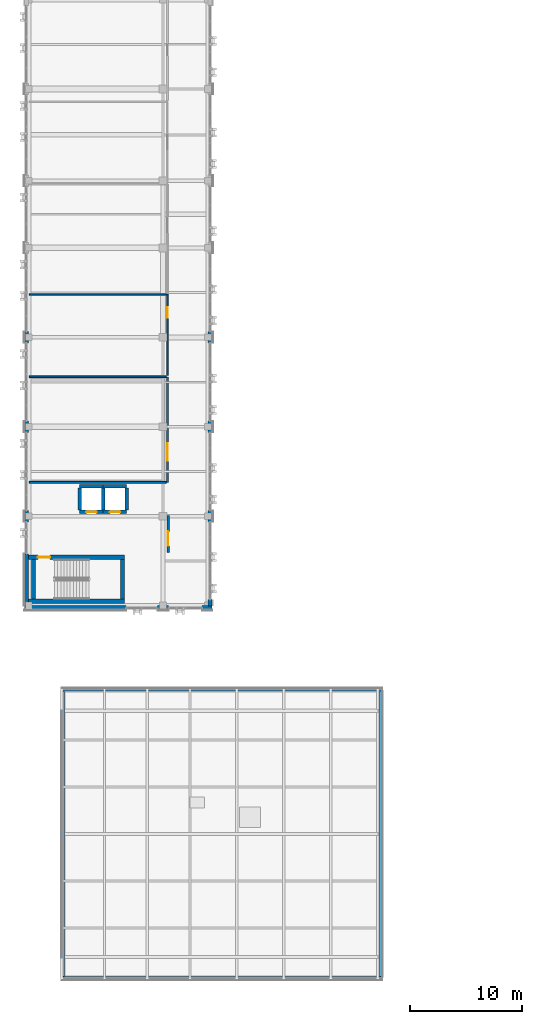
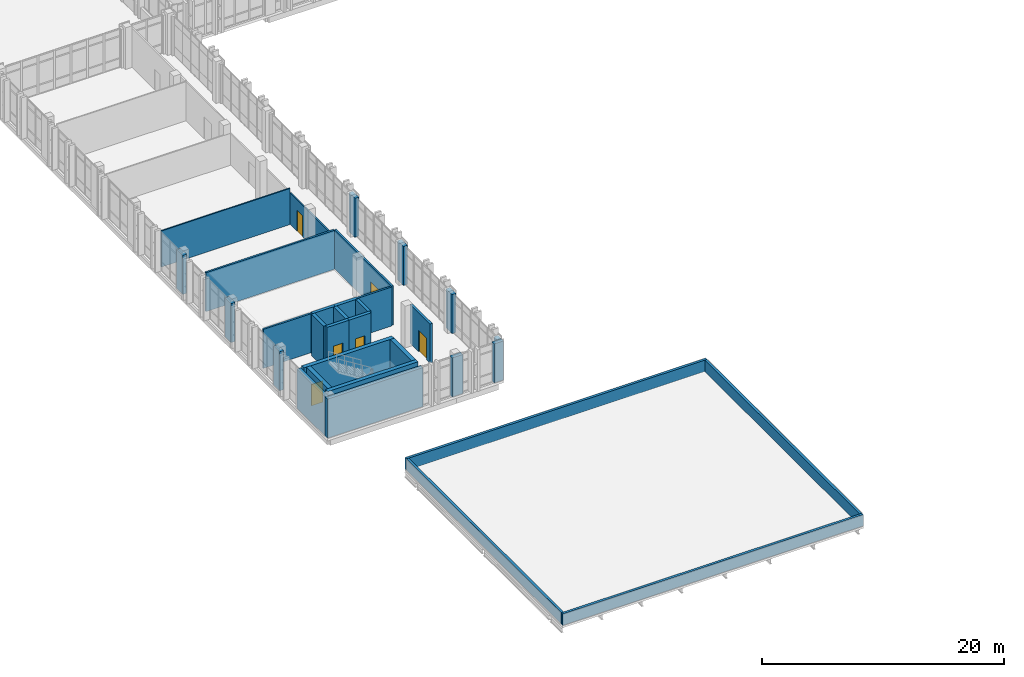
# One storey, part 67 of 90: 32 walls, 6 doors, 6 openings.
"""IFC4 building model written with IfcOpenShell, lengths in metres."""

from ifc_helpers import new_model, si_unit, direction, frame, frame_2d, origin, place, context, subcontext, project, spatial, rectangle, extrude, material, layer, layer_set, type_object, element, fill, save


model = new_model("IFC4")

# Units and contexts
model_context = context("Model", 3, precision=1e-05, world=origin(), true_north=direction((0.0, 1.0)))
body_context = subcontext(model_context, "Body", "Model", "MODEL_VIEW")
ifc_project = project(units=[si_unit("LENGTHUNIT", "METRE"), si_unit("AREAUNIT", "SQUARE_METRE"), si_unit("VOLUMEUNIT", "CUBIC_METRE"), si_unit("PLANEANGLEUNIT", "RADIAN"), si_unit("MASSUNIT", "GRAM", prefix="KILO")], contexts=[model_context])

# Site, building, storey
site_placement = place(None, origin())
site = spatial("IfcSite", under=ifc_project, at=site_placement, CompositionType="ELEMENT")
building_placement = place(site_placement, origin())
building = spatial("IfcBuilding", under=site, at=building_placement, Name="Qalavern Law Courts", CompositionType="ELEMENT")
storey_placement = place(building_placement, frame((0.0, 0.0, 22.800048828125)))
storey = spatial("IfcBuildingStorey", under=building, at=storey_placement, Name="L05", CompositionType="ELEMENT", Elevation=22.800048828125)

# Walls
ifc_material_1 = material(Name="Concrete C40/50", Category="concrete")
ifc_layer_1 = layer(ifc_material_1, 0.385009765625)
ifc_layer_set_1 = layer_set([ifc_layer_1], Name="Concrete C40/50")
wall_type_1 = type_object("IfcWallType", Name="ENV-EW-385", PredefinedType="SOLIDWALL", material=ifc_layer_set_1)
wall_1_placement = place(storey_placement, frame((2.0, 41.21240234375, 0.0), z_axis=(0.0, 0.0, 1.0), x_axis=(1.0, 0.0, 0.0)))
element("IfcWall", 1, at=wall_1_placement, inside=storey, type_object=wall_type_1, Name="V3 exterior pier wall L05 south 1", PredefinedType="SOLIDWALL", context=body_context, shape_type="SweptSolid", body=[
    extrude(rectangle(XDim=9.10009765625, YDim=0.385009765625, at=frame_2d((4.550048828125, 0.0))), origin(), (0.0, 0.0, 1.0), 3.929931640625),
])
wall_2_placement = place(storey_placement, frame((13.89990234375, 41.21240234375, 0.0), z_axis=(0.0, 0.0, 1.0), x_axis=(1.0, 0.0, 0.0)))
element("IfcWall", 2, at=wall_2_placement, inside=storey, type_object=wall_type_1, Name="V3 exterior pier wall L05 south 2", PredefinedType="SOLIDWALL", context=body_context, shape_type="SweptSolid", body=[
    extrude(rectangle(XDim=1.0, YDim=0.385009765625, at=frame_2d((0.5, 0.0))), origin(), (0.0, 0.0, 1.0), 3.929931640625),
])
wall_3_placement = place(storey_placement, frame((17.89990234375, 41.21240234375, 0.0), z_axis=(0.0, 0.0, 1.0), x_axis=(1.0, 0.0, 0.0)))
element("IfcWall", 3, at=wall_3_placement, inside=storey, type_object=wall_type_1, Name="V3 exterior pier wall L05 south 3", PredefinedType="SOLIDWALL", context=body_context, shape_type="SweptSolid", body=[
    extrude(rectangle(XDim=0.900146484375, YDim=0.385009765625, at=frame_2d((0.4501953125, 0.0))), origin(), (0.0, 0.0, 1.0), 3.929931640625),
])
wall_4_placement = place(storey_placement, frame((18.607421875, 41.39990234375, 0.0), z_axis=(0.0, 0.0, 1.0), x_axis=(0.0, 1.0, 0.0)))
element("IfcWall", 4, at=wall_4_placement, inside=storey, type_object=wall_type_1, Name="V3 exterior pier wall L05 east 1", PredefinedType="SOLIDWALL", context=body_context, shape_type="SweptSolid", body=[
    extrude(rectangle(XDim=0.550048828125, YDim=0.385009765625, at=frame_2d((0.27490234375, 0.0))), origin(), (0.0, 0.0, 1.0), 3.929931640625),
])
for number, where, z_axis, x_axis, name in (
    (5, (18.607421875, 48.89990234375, 0.0), (0.0, 0.0, 1.0), (0.0, 1.0, 0.0), "V3 exterior pier wall L05 east 2"),
    (6, (18.607421875, 56.89990234375, 0.0), (0.0, 0.0, 1.0), (0.0, 1.0, 0.0), "V3 exterior pier wall L05 east 3"),
    (7, (18.607421875, 64.89990234375, 0.0), (0.0, 0.0, 1.0), (0.0, 1.0, 0.0), "V3 exterior pier wall L05 east 4"),
    (8, (2.1923828125, 65.89990234375, 0.0), (0.0, 0.0, 1.0), (0.0, -1.0, 0.0), "V3 exterior pier wall L05 west 5"),
    (9, (2.1923828125, 57.89990234375, 0.0), (0.0, 0.0, 1.0), (0.0, -1.0, 0.0), "V3 exterior pier wall L05 west 6"),
    (10, (2.1923828125, 49.89990234375, 0.0), (0.0, 0.0, 1.0), (0.0, -1.0, 0.0), "V3 exterior pier wall L05 west 7"),
):
    element("IfcWall", number, at=place(storey_placement, frame(where, z_axis=z_axis, x_axis=x_axis)), inside=storey, type_object=wall_type_1, Name=name, PredefinedType="SOLIDWALL", context=body_context, shape_type="SweptSolid", body=[
        extrude(rectangle(XDim=1.0, YDim=0.385009765625, at=frame_2d((0.5, 0.0))), origin(), (0.0, 0.0, 1.0), 3.929931640625),
    ])
wall_5_placement = place(storey_placement, frame((2.1923828125, 46.050048828125, 0.0), z_axis=(0.0, 0.0, 1.0), x_axis=(0.0, -1.0, 0.0)))
element("IfcWall", 11, at=wall_5_placement, inside=storey, type_object=wall_type_1, Name="V3 exterior pier wall L05 west 8", PredefinedType="SOLIDWALL", context=body_context, shape_type="SweptSolid", body=[
    extrude(rectangle(XDim=4.650146484375, YDim=0.385009765625, at=frame_2d((2.3251953125, 0.0))), origin(), (0.0, 0.0, 1.0), 3.929931640625),
])
ifc_layer_2 = layer(ifc_material_1, 0.235107421875)
ifc_layer_set_2 = layer_set([ifc_layer_2], Name="Concrete C40/50")
wall_type_2 = type_object("IfcWallType", Name="ENV-PAR-235", PredefinedType="PARAPET", material=ifc_layer_set_2)
wall_6_placement = place(storey_placement, frame((5.35009765625, 8.117431640625, 0.0), z_axis=(0.0, 0.0, 1.0), x_axis=(1.0, 0.0, 0.0)))
element("IfcWall", 12, at=wall_6_placement, inside=storey, type_object=wall_type_2, Name="V1 roof parapet L05 S", PredefinedType="PARAPET", context=body_context, shape_type="SweptSolid", body=[
    extrude(rectangle(XDim=28.64990234375, YDim=0.235107421875, at=frame_2d((14.324951171875, 0.0))), origin(), (0.0, 0.0, 1.0), 1.14990234375),
])
wall_7_placement = place(storey_placement, frame((33.882568359375, 8.235107421875, 0.0), z_axis=(0.0, 0.0, 1.0), x_axis=(0.0, 1.0, 0.0)))
element("IfcWall", 13, at=wall_7_placement, inside=storey, type_object=wall_type_2, Name="V1 roof parapet L05 E", PredefinedType="PARAPET", context=body_context, shape_type="SweptSolid", body=[
    extrude(rectangle(XDim=25.52978515625, YDim=0.235107421875, at=frame_2d((12.764892578125, 0.0))), origin(), (0.0, 0.0, 1.0), 1.14990234375),
])
wall_8_placement = place(storey_placement, frame((34.0, 33.882568359375, 0.0), z_axis=(0.0, 0.0, 1.0), x_axis=(-1.0, 0.0, 0.0)))
element("IfcWall", 14, at=wall_8_placement, inside=storey, type_object=wall_type_2, Name="V1 roof parapet L05 N", PredefinedType="PARAPET", context=body_context, shape_type="SweptSolid", body=[
    extrude(rectangle(XDim=28.64990234375, YDim=0.235107421875, at=frame_2d((14.324951171875, 0.0))), origin(), (0.0, 0.0, 1.0), 1.14990234375),
])
wall_9_placement = place(storey_placement, frame((5.467529296875, 33.764892578125, 0.0), z_axis=(0.0, 0.0, 1.0), x_axis=(0.0, -1.0, 0.0)))
element("IfcWall", 15, at=wall_9_placement, inside=storey, type_object=wall_type_2, Name="V1 roof parapet L05 W", PredefinedType="PARAPET", context=body_context, shape_type="SweptSolid", body=[
    extrude(rectangle(XDim=25.52978515625, YDim=0.235107421875, at=frame_2d((12.764892578125, 0.0))), origin(), (0.0, 0.0, 1.0), 1.14990234375),
])
ifc_material_2 = material(Name="Concrete C45/55", Category="concrete")
ifc_layer_3 = layer(ifc_material_2, 0.375)
ifc_layer_set_3 = layer_set([ifc_layer_3], Name="Concrete C45/55")
wall_type_3 = type_object("IfcWallType", Name="INT-CW-375", PredefinedType="SHEAR", material=ifc_layer_set_3)
wall_10_placement = place(storey_placement, frame((2.387939453125, 41.8125, 0.0), z_axis=(0.0, 0.0, 1.0), x_axis=(1.0, 0.0, 0.0)))
element("IfcWall", 16, at=wall_10_placement, inside=storey, type_object=wall_type_3, Name="Core K2 stair shear wall L05 south", PredefinedType="SHEAR", context=body_context, shape_type="SweptSolid", body=[
    extrude(rectangle(XDim=8.587158203125, YDim=0.375, at=frame_2d((4.29345703125, 0.0))), origin(), (0.0, 0.0, 1.0), 4.199951171875),
])
wall_11_placement = place(storey_placement, frame((10.78759765625, 42.0, 0.0), z_axis=(0.0, 0.0, 1.0), x_axis=(0.0, 1.0, 0.0)))
element("IfcWall", 17, at=wall_11_placement, inside=storey, type_object=wall_type_3, Name="Core K2 stair shear wall L05 east", PredefinedType="SHEAR", context=body_context, shape_type="SweptSolid", body=[
    extrude(rectangle(XDim=3.550048828125, YDim=0.375, at=frame_2d((1.77490234375, 0.0))), origin(), (0.0, 0.0, 1.0), 4.199951171875),
])

# Wall, opening, door
wall_12_placement = place(storey_placement, frame((10.97509765625, 45.737548828125, 0.0), z_axis=(0.0, 0.0, 1.0), x_axis=(-1.0, 0.0, 0.0)))
wall_12 = element("IfcWall", 18, at=wall_12_placement, inside=storey, type_object=wall_type_3, Name="Core K2 stair shear wall L05 north", PredefinedType="SHEAR", context=body_context, shape_type="SweptSolid", body=[
    extrude(rectangle(XDim=8.587158203125, YDim=0.375, at=frame_2d((4.29345703125, 0.0))), origin(), (0.0, 0.0, 1.0), 4.199951171875),
])
opening_1_placement = place(wall_12_placement, frame((6.675048828125, 0.0, 0.0)))
opening_1 = element("IfcOpeningElement", 19, at=opening_1_placement, cuts=wall_12, Name="Opening L05-D063", PredefinedType="OPENING", context=body_context, shape_type="SweptSolid", body=[
    extrude(rectangle(XDim=1.10009765625, YDim=2.14990234375, at=frame_2d((0.550048828125, 1.074951171875))), frame((0.0, 0.202392578125, 0.0), z_axis=(0.0, -1.0, 0.0), x_axis=(1.0, 0.0, 0.0)), (0.0, 0.0, 1.0), 0.40478515625),
])
ifc_material_3 = material(Name="Steel fire-rated stair enclosure door", Category="steel")
door_type_1 = type_object("IfcDoorType", Name="INT-FD-1100x2150", OperationType="NOTDEFINED", PredefinedType="DOOR", material=ifc_material_3)
door_1_placement = place(opening_1_placement, frame((1.10009765625, 0.0, 0.0), z_axis=(0.0, 0.0, 1.0), x_axis=(-1.0, 0.0, 0.0)))
door_1 = element("IfcDoor", 20, at=door_1_placement, inside=storey, type_object=door_type_1, Name="Stair K2 fire door L05", OperationType="SINGLE_SWING_RIGHT", OverallHeight=2.14990234375, OverallWidth=1.10009765625, PredefinedType="DOOR", context=body_context, shape_type="SweptSolid", body=[
    extrude(rectangle(XDim=1.10009765625, YDim=2.14990234375, at=frame_2d((0.550048828125, 1.074951171875))), frame((0.0, 0.02490234375, 0.0), z_axis=(0.0, -1.0, 0.0), x_axis=(1.0, 0.0, 0.0)), (0.0, 0.0, 1.0), 0.050048828125),
])
fill(opening_1, door_1)

# Wall
wall_13_placement = place(storey_placement, frame((2.8125, 45.550048828125, 0.0), z_axis=(0.0, 0.0, 1.0), x_axis=(0.0, -1.0, 0.0)))
element("IfcWall", 21, at=wall_13_placement, inside=storey, type_object=wall_type_3, Name="Core K2 stair shear wall L05 west", PredefinedType="SHEAR", context=body_context, shape_type="SweptSolid", body=[
    extrude(rectangle(XDim=3.550048828125, YDim=0.375, at=frame_2d((1.77490234375, 0.0))), origin(), (0.0, 0.0, 1.0), 4.199951171875),
])

# Wall, opening, door
ifc_layer_4 = layer(ifc_material_1, 0.22509765625)
ifc_layer_set_4 = layer_set([ifc_layer_4], Name="Concrete C40/50")
wall_type_4 = type_object("IfcWallType", Name="INT-FW-225", PredefinedType="PARTITIONING", material=ifc_layer_set_4)
wall_14_placement = place(storey_placement, frame((14.85009765625, 46.14990234375, 0.0), z_axis=(0.0, 0.0, 1.0), x_axis=(0.0, 1.0, 0.0)))
wall_14 = element("IfcWall", 22, at=wall_14_placement, inside=storey, type_object=wall_type_4, Name="Core K2 firefighting/stair lobby fire wall L05", PredefinedType="PARTITIONING", context=body_context, shape_type="SweptSolid", body=[
    extrude(rectangle(XDim=3.300048828125, YDim=0.22509765625, at=frame_2d((1.64990234375, 0.0))), origin(), (0.0, 0.0, 1.0), 3.929931640625),
])
opening_2_placement = place(wall_14_placement, frame((0.60009765625, 0.0, 0.0)))
opening_2 = element("IfcOpeningElement", 23, at=opening_2_placement, cuts=wall_14, Name="Opening L05-D064", PredefinedType="OPENING", context=body_context, shape_type="SweptSolid", body=[
    extrude(rectangle(XDim=1.300048828125, YDim=2.14990234375, at=frame_2d((0.64990234375, 1.074951171875))), frame((0.0, 0.12744140625, 0.0), z_axis=(0.0, -1.0, 0.0), x_axis=(1.0, 0.0, 0.0)), (0.0, 0.0, 1.0), 0.2548828125),
])
ifc_material_4 = material(Name="Steel fire-rated frame and acoustic timber leaves", Category="steel")
door_type_2 = type_object("IfcDoorType", Name="INT-FD-1300x2150", OperationType="DOUBLE_DOOR_SINGLE_SWING", PredefinedType="DOOR", material=ifc_material_4)
door_2_placement = place(opening_2_placement, origin())
door_2 = element("IfcDoor", 24, at=door_2_placement, inside=storey, type_object=door_type_2, Name="Core K2 lobby fire door L05", OperationType="DOUBLE_DOOR_SINGLE_SWING", OverallHeight=2.14990234375, OverallWidth=1.300048828125, PredefinedType="DOOR", context=body_context, shape_type="SweptSolid", body=[
    extrude(rectangle(XDim=1.300048828125, YDim=2.14990234375, at=frame_2d((0.64990234375, 1.074951171875))), frame((0.0, 0.02490234375, 0.0), z_axis=(0.0, -1.0, 0.0), x_axis=(1.0, 0.0, 0.0)), (0.0, 0.0, 1.0), 0.050048828125),
])
fill(opening_2, door_2)

ifc_material_5 = material(Name="Gypsum stud partition")
ifc_layer_5 = layer(ifc_material_5, 0.1220703125)
ifc_layer_set_5 = layer_set([ifc_layer_5], Name="Gypsum stud partition")
wall_type_5 = type_object("IfcWallType", Name="INT-PW-122", PredefinedType="PARTITIONING", material=ifc_layer_set_5)
wall_15_placement = place(storey_placement, frame((14.7900390625, 61.992919921875, 0.0), z_axis=(0.0, 0.0, 1.0), x_axis=(0.0, 1.0, 0.0)))
wall_15 = element("IfcWall", 25, at=wall_15_placement, inside=storey, type_object=wall_type_5, Name="Judicial Clerks' Office corridor partition L05", PredefinedType="PARTITIONING", context=body_context, shape_type="SweptSolid", body=[
    extrude(rectangle(XDim=7.2509765625, YDim=0.1220703125, at=frame_2d((3.62548828125, 0.0))), origin(), (0.0, 0.0, 1.0), 3.159912109375),
])
opening_3_placement = place(wall_15_placement, frame((5.1455078125, 0.0, 0.0)))
opening_3 = element("IfcOpeningElement", 26, at=opening_3_placement, cuts=wall_15, Name="Opening L05-D234", PredefinedType="OPENING", context=body_context, shape_type="SweptSolid", body=[
    extrude(rectangle(XDim=0.9599609375, YDim=2.080078125, at=frame_2d((0.47998046875, 1.0400390625))), frame((0.0, 0.075927734375, 0.0), z_axis=(0.0, -1.0, 0.0), x_axis=(1.0, 0.0, 0.0)), (0.0, 0.0, 1.0), 0.15185546875),
])
ifc_material_6 = material(Name="Timber Counsel Consultation door", Category="wood")
door_type_3 = type_object("IfcDoorType", Name="INT-ID-960x2080", OperationType="NOTDEFINED", PredefinedType="DOOR", material=ifc_material_6)
door_3_placement = place(opening_3_placement, frame((0.9599609375, 0.0, 0.0), z_axis=(0.0, 0.0, 1.0), x_axis=(-1.0, 0.0, 0.0)))
door_3 = element("IfcDoor", 27, at=door_3_placement, inside=storey, type_object=door_type_3, Name="Judicial Clerks' Office door L05", OperationType="SINGLE_SWING_RIGHT", OverallHeight=2.080078125, OverallWidth=0.9599609375, PredefinedType="DOOR", context=body_context, shape_type="SweptSolid", body=[
    extrude(rectangle(XDim=0.9599609375, YDim=2.080078125, at=frame_2d((0.47998046875, 1.0400390625))), frame((0.0, 0.02490234375, 0.0), z_axis=(0.0, -1.0, 0.0), x_axis=(1.0, 0.0, 0.0)), (0.0, 0.0, 1.0), 0.050048828125),
])
fill(opening_3, door_3)

# Wall
wall_16_placement = place(storey_placement, frame((2.43994140625, 69.243896484375, 0.0), z_axis=(0.0, 0.0, 1.0), x_axis=(1.0, 0.0, 0.0)))
element("IfcWall", 28, at=wall_16_placement, inside=storey, type_object=wall_type_5, Name="Judicial Clerks' Office cross partition L05 north", PredefinedType="PARTITIONING", context=body_context, shape_type="SweptSolid", body=[
    extrude(rectangle(XDim=12.26904296875, YDim=0.1220703125, at=frame_2d((6.134521484375, 0.0))), origin(), (0.0, 0.0, 1.0), 3.639892578125),
])

# Wall, opening, door
ifc_material_7 = material(Name="Gypsum acoustic stud partition")
ifc_layer_6 = layer(ifc_material_7, 0.174072265625)
ifc_layer_set_6 = layer_set([ifc_layer_6], Name="Gypsum acoustic stud partition")
wall_type_6 = type_object("IfcWallType", Name="INT-PW-174", PredefinedType="PARTITIONING", material=ifc_layer_set_6)
wall_17_placement = place(storey_placement, frame((14.7900390625, 52.43994140625, 0.0), z_axis=(0.0, 0.0, 1.0), x_axis=(0.0, 1.0, 0.0)))
wall_17 = element("IfcWall", 29, at=wall_17_placement, inside=storey, type_object=wall_type_6, Name="Administrative Hearing Courtroom corridor partition L05", PredefinedType="PARTITIONING", context=body_context, shape_type="SweptSolid", body=[
    extrude(rectangle(XDim=9.43310546875, YDim=0.174072265625, at=frame_2d((4.716552734375, 0.0))), origin(), (0.0, 0.0, 1.0), 3.929931640625),
])
opening_4_placement = place(wall_17_placement, frame((1.94140625, 0.0, 0.0)))
opening_4 = element("IfcOpeningElement", 30, at=opening_4_placement, cuts=wall_17, Name="Opening L05-D233", PredefinedType="OPENING", context=body_context, shape_type="SweptSolid", body=[
    extrude(rectangle(XDim=1.550048828125, YDim=2.280029296875, at=frame_2d((0.77490234375, 1.14013671875))), frame((0.0, 0.10205078125, 0.0), z_axis=(0.0, -1.0, 0.0), x_axis=(1.0, 0.0, 0.0)), (0.0, 0.0, 1.0), 0.203857421875),
])
ifc_material_8 = material(Name="Acoustic oak double Civil Courtroom door")
door_type_4 = type_object("IfcDoorType", Name="INT-ID-1550x2280", OperationType="DOUBLE_DOOR_SINGLE_SWING", PredefinedType="DOOR", material=ifc_material_8)
door_4_placement = place(opening_4_placement, frame((1.550048828125, 0.0, 0.0), z_axis=(0.0, 0.0, 1.0), x_axis=(-1.0, 0.0, 0.0)))
door_4 = element("IfcDoor", 31, at=door_4_placement, inside=storey, type_object=door_type_4, Name="Administrative Hearing Courtroom door L05", OperationType="DOUBLE_DOOR_SINGLE_SWING", OverallHeight=2.280029296875, OverallWidth=1.550048828125, PredefinedType="DOOR", context=body_context, shape_type="SweptSolid", body=[
    extrude(rectangle(XDim=1.550048828125, YDim=2.280029296875, at=frame_2d((0.77490234375, 1.14013671875))), frame((0.0, 0.02490234375, 0.0), z_axis=(0.0, -1.0, 0.0), x_axis=(1.0, 0.0, 0.0)), (0.0, 0.0, 1.0), 0.050048828125),
])
fill(opening_4, door_4)

# Walls
for number, where, z_axis, x_axis, name in (
    (32, (2.43994140625, 52.43994140625, 0.0), (0.0, 0.0, 1.0), (1.0, 0.0, 0.0), "Administrative Hearing Courtroom cross partition L05 south"),
    (33, (2.43994140625, 61.873046875, 0.0), (0.0, 0.0, 1.0), (1.0, 0.0, 0.0), "Administrative Hearing Courtroom cross partition L05 north"),
):
    element("IfcWall", number, at=place(storey_placement, frame(where, z_axis=z_axis, x_axis=x_axis)), inside=storey, type_object=wall_type_6, Name=name, PredefinedType="PARTITIONING", context=body_context, shape_type="SweptSolid", body=[
        extrude(rectangle(XDim=12.2431640625, YDim=0.174072265625, at=frame_2d((6.12158203125, 0.0))), origin(), (0.0, 0.0, 1.0), 3.929931640625),
    ])

# Wall, opening, door
ifc_layer_7 = layer(ifc_material_2, 0.304931640625)
ifc_layer_set_7 = layer_set([ifc_layer_7], Name="Concrete C45/55")
wall_type_7 = type_object("IfcWallType", Name="INT-SW-305", PredefinedType="SHEAR", material=ifc_layer_set_7)
wall_18_placement = place(storey_placement, frame((6.947509765625, 49.797607421875, 0.0), z_axis=(0.0, 0.0, 1.0), x_axis=(1.0, 0.0, 0.0)))
wall_18 = element("IfcWall", 34, at=wall_18_placement, inside=storey, type_object=wall_type_7, Name="Lift LF-C1 shaft wall L05 south", PredefinedType="SHEAR", context=body_context, shape_type="SweptSolid", body=[
    extrude(rectangle(XDim=2.10498046875, YDim=0.304931640625, at=frame_2d((1.052490234375, 0.0))), origin(), (0.0, 0.0, 1.0), 4.199951171875),
])
opening_5_placement = place(wall_18_placement, frame((0.592529296875, 0.0, 0.0)))
opening_5 = element("IfcOpeningElement", 35, at=opening_5_placement, cuts=wall_18, Name="Opening LD-LF-C1-L05", PredefinedType="OPENING", context=body_context, shape_type="SweptSolid", body=[
    extrude(rectangle(XDim=0.919921875, YDim=2.10009765625, at=frame_2d((0.4599609375, 1.050048828125))), frame((0.0, 0.16748046875, 0.0), z_axis=(0.0, -1.0, 0.0), x_axis=(1.0, 0.0, 0.0)), (0.0, 0.0, 1.0), 0.334716796875),
])
ifc_material_9 = material(Name="Heavy-gauge steel custody lift sliding landing door", Category="steel")
door_type_5 = type_object("IfcDoorType", Name="INT-LD-920x2100", OperationType="SLIDING_TO_LEFT", PredefinedType="DOOR", material=ifc_material_9)
door_5_placement = place(opening_5_placement, origin())
door_5 = element("IfcDoor", 36, at=door_5_placement, inside=storey, type_object=door_type_5, Name="Lift LF-C1 sliding landing door L05", OperationType="SLIDING_TO_LEFT", OverallHeight=2.10009765625, OverallWidth=0.919921875, PredefinedType="DOOR", context=body_context, shape_type="SweptSolid", body=[
    extrude(rectangle(XDim=0.919921875, YDim=2.10009765625, at=frame_2d((0.4599609375, 1.050048828125))), frame((0.0, 0.02490234375, 0.0), z_axis=(0.0, -1.0, 0.0), x_axis=(1.0, 0.0, 0.0)), (0.0, 0.0, 1.0), 0.050048828125),
])
fill(opening_5, door_5)

# Walls
wall_19_placement = place(storey_placement, frame((9.052490234375, 49.949951171875, 0.0), z_axis=(0.0, 0.0, 1.0), x_axis=(0.0, 1.0, 0.0)))
element("IfcWall", 37, at=wall_19_placement, inside=storey, type_object=wall_type_7, Name="Lift LF-C1 shaft wall L05 east", PredefinedType="SHEAR", context=body_context, shape_type="SweptSolid", body=[
    extrude(rectangle(XDim=2.0, YDim=0.304931640625, at=frame_2d((1.0, 0.0))), origin(), (0.0, 0.0, 1.0), 4.199951171875),
])
wall_20_placement = place(storey_placement, frame((9.052490234375, 52.1025390625, 0.0), z_axis=(0.0, 0.0, 1.0), x_axis=(-1.0, 0.0, 0.0)))
element("IfcWall", 38, at=wall_20_placement, inside=storey, type_object=wall_type_7, Name="Lift LF-C1 shaft wall L05 north", PredefinedType="SHEAR", context=body_context, shape_type="SweptSolid", body=[
    extrude(rectangle(XDim=2.10498046875, YDim=0.304931640625, at=frame_2d((1.052490234375, 0.0))), origin(), (0.0, 0.0, 1.0), 4.199951171875),
])
wall_21_placement = place(storey_placement, frame((6.947509765625, 51.949951171875, 0.0), z_axis=(0.0, 0.0, 1.0), x_axis=(0.0, -1.0, 0.0)))
element("IfcWall", 39, at=wall_21_placement, inside=storey, type_object=wall_type_7, Name="Lift LF-C1 shaft wall L05 west", PredefinedType="SHEAR", context=body_context, shape_type="SweptSolid", body=[
    extrude(rectangle(XDim=2.0, YDim=0.304931640625, at=frame_2d((1.0, 0.0))), origin(), (0.0, 0.0, 1.0), 4.199951171875),
])

# Wall, opening, door
wall_22_placement = place(storey_placement, frame((9.047607421875, 49.797607421875, 0.0), z_axis=(0.0, 0.0, 1.0), x_axis=(1.0, 0.0, 0.0)))
wall_22 = element("IfcWall", 40, at=wall_22_placement, inside=storey, type_object=wall_type_7, Name="Lift LF-C2 shaft wall L05 south", PredefinedType="SHEAR", context=body_context, shape_type="SweptSolid", body=[
    extrude(rectangle(XDim=2.10498046875, YDim=0.304931640625, at=frame_2d((1.052490234375, 0.0))), origin(), (0.0, 0.0, 1.0), 4.199951171875),
])
opening_6_placement = place(wall_22_placement, frame((0.592529296875, 0.0, 0.0)))
opening_6 = element("IfcOpeningElement", 41, at=opening_6_placement, cuts=wall_22, Name="Opening LD-LF-C2-L05", PredefinedType="OPENING", context=body_context, shape_type="SweptSolid", body=[
    extrude(rectangle(XDim=0.919921875, YDim=2.10009765625, at=frame_2d((0.4599609375, 1.050048828125))), frame((0.0, 0.16748046875, 0.0), z_axis=(0.0, -1.0, 0.0), x_axis=(1.0, 0.0, 0.0)), (0.0, 0.0, 1.0), 0.334716796875),
])
door_6_placement = place(opening_6_placement, origin())
door_6 = element("IfcDoor", 42, at=door_6_placement, inside=storey, type_object=door_type_5, Name="Lift LF-C2 sliding landing door L05", OperationType="SLIDING_TO_LEFT", OverallHeight=2.10009765625, OverallWidth=0.919921875, PredefinedType="DOOR", context=body_context, shape_type="SweptSolid", body=[
    extrude(rectangle(XDim=0.919921875, YDim=2.10009765625, at=frame_2d((0.4599609375, 1.050048828125))), frame((0.0, 0.02490234375, 0.0), z_axis=(0.0, -1.0, 0.0), x_axis=(1.0, 0.0, 0.0)), (0.0, 0.0, 1.0), 0.050048828125),
])
fill(opening_6, door_6)

# Walls
wall_23_placement = place(storey_placement, frame((11.152587890625, 49.949951171875, 0.0), z_axis=(0.0, 0.0, 1.0), x_axis=(0.0, 1.0, 0.0)))
element("IfcWall", 43, at=wall_23_placement, inside=storey, type_object=wall_type_7, Name="Lift LF-C2 shaft wall L05 east", PredefinedType="SHEAR", context=body_context, shape_type="SweptSolid", body=[
    extrude(rectangle(XDim=2.0, YDim=0.304931640625, at=frame_2d((1.0, 0.0))), origin(), (0.0, 0.0, 1.0), 4.199951171875),
])
wall_24_placement = place(storey_placement, frame((11.152587890625, 52.1025390625, 0.0), z_axis=(0.0, 0.0, 1.0), x_axis=(-1.0, 0.0, 0.0)))
element("IfcWall", 44, at=wall_24_placement, inside=storey, type_object=wall_type_7, Name="Lift LF-C2 shaft wall L05 north", PredefinedType="SHEAR", context=body_context, shape_type="SweptSolid", body=[
    extrude(rectangle(XDim=2.10498046875, YDim=0.304931640625, at=frame_2d((1.052490234375, 0.0))), origin(), (0.0, 0.0, 1.0), 4.199951171875),
])

save(model, "model.ifc")
